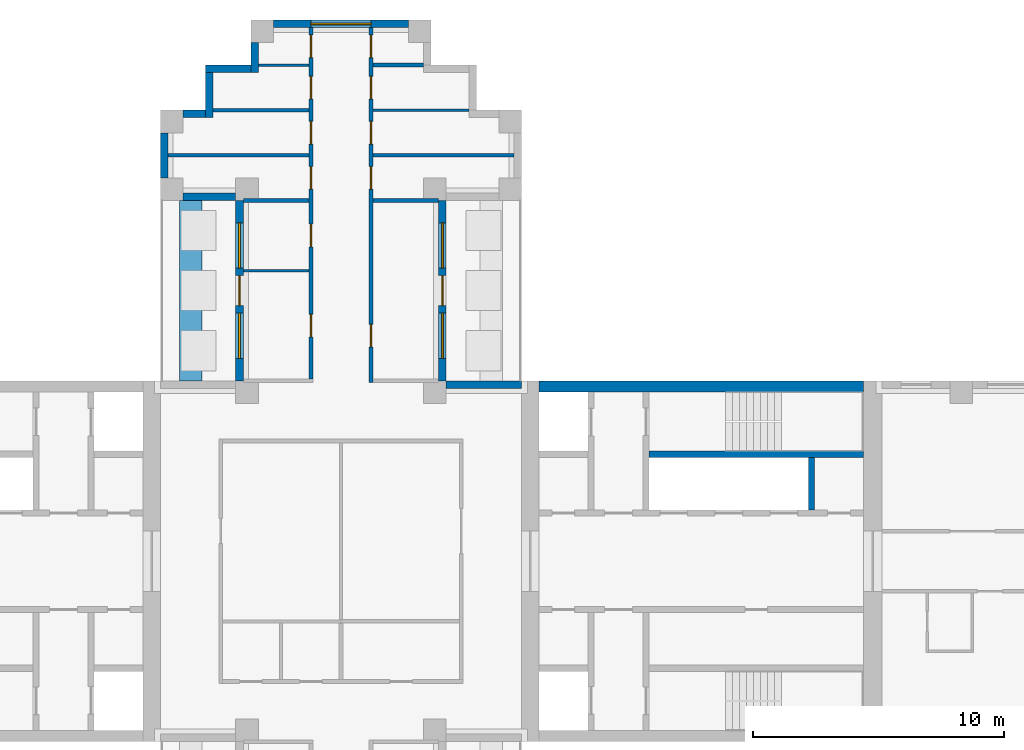
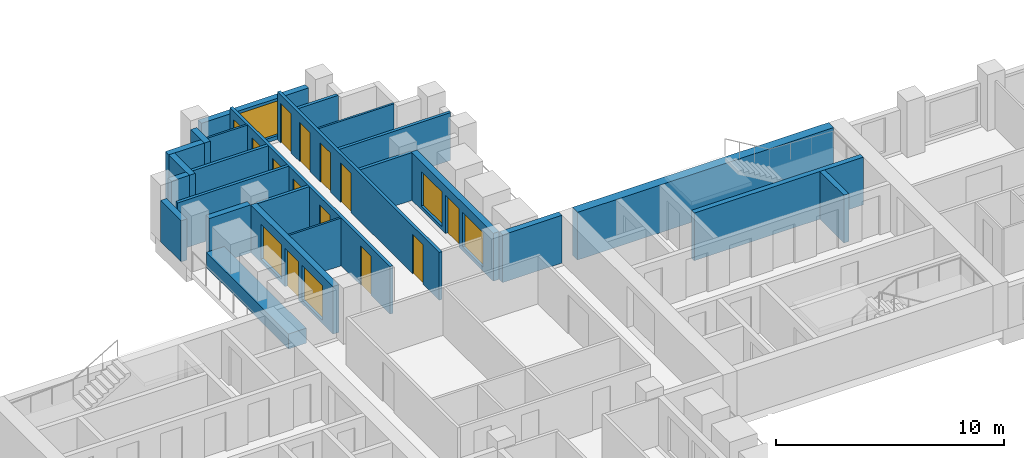
# One storey, part 7 of 12: 25 walls, 13 doors, 5 windows, 18 openings.
"""IFC4 building model written with IfcOpenShell, lengths in metres."""

from ifc_helpers import new_model, si_unit, direction, frame, frame_2d, origin, place, context, subcontext, project, spatial, rectangle, extrude, material, layer, layer_set, type_object, element, fill, save


model = new_model("IFC4")

# Units and contexts
model_context = context("Model", 3, precision=1e-05, world=origin(), true_north=direction((0.0, 1.0)))
body_context = subcontext(model_context, "Body", "Model", "MODEL_VIEW")
ifc_project = project(units=[si_unit("LENGTHUNIT", "METRE"), si_unit("AREAUNIT", "SQUARE_METRE"), si_unit("VOLUMEUNIT", "CUBIC_METRE"), si_unit("PLANEANGLEUNIT", "RADIAN"), si_unit("MASSUNIT", "GRAM", prefix="KILO")], contexts=[model_context])

# Site, building, storey
site_placement = place(None, origin())
site = spatial("IfcSite", under=ifc_project, at=site_placement, CompositionType="ELEMENT")
building_placement = place(site_placement, origin())
building = spatial("IfcBuilding", under=site, at=building_placement, Name="Fustian Cross Tower", CompositionType="ELEMENT")
storey_placement = place(building_placement, frame((0.0, 0.0, 159.300048828125)))
storey = spatial("IfcBuildingStorey", under=building, at=storey_placement, Name="L50", CompositionType="ELEMENT", Elevation=159.300048828125)

# Walls
ifc_material_1 = material(Name="Plasterboard on steel stud", Category="steel")
ifc_layer_1 = layer(ifc_material_1, 0.14990234375)
ifc_layer_set_1 = layer_set([ifc_layer_1], Name="Plasterboard on steel stud")
wall_type_1 = type_object("IfcWallType", Name="COMPARTMENT WALL 150 EI 60", PredefinedType="PARTITIONING", material=ifc_layer_set_1)
wall_1_placement = place(storey_placement, frame((-6.89990234375, 16.199951171875, 0.0), z_axis=(0.0, 0.0, 1.0), x_axis=(1.0, 0.0, 0.0)))
element("IfcWall", 1, at=wall_1_placement, inside=storey, type_object=wall_type_1, Name="Partition 10", PredefinedType="PARTITIONING", context=body_context, shape_type="SweptSolid", body=[
    extrude(rectangle(XDim=5.625, YDim=0.14990234375, at=frame_2d((2.8125, 0.0))), origin(), (0.0, 0.0, 1.0), 2.550048828125),
])
wall_2_placement = place(storey_placement, frame((-5.10009765625, 18.0, 0.0), z_axis=(0.0, 0.0, 1.0), x_axis=(1.0, 0.0, 0.0)))
element("IfcWall", 2, at=wall_2_placement, inside=storey, type_object=wall_type_1, Name="Partition 11", PredefinedType="PARTITIONING", context=body_context, shape_type="SweptSolid", body=[
    extrude(rectangle(XDim=3.8251953125, YDim=0.14990234375, at=frame_2d((1.91259765625, 0.0))), origin(), (0.0, 0.0, 1.0), 2.550048828125),
])
wall_3_placement = place(storey_placement, frame((-3.89990234375, 14.39990234375, 0.0), z_axis=(0.0, 0.0, 1.0), x_axis=(1.0, 0.0, 0.0)))
element("IfcWall", 3, at=wall_3_placement, inside=storey, type_object=wall_type_1, Name="Partition 21", PredefinedType="PARTITIONING", context=body_context, shape_type="SweptSolid", body=[
    extrude(rectangle(XDim=2.625, YDim=0.14990234375, at=frame_2d((1.3125, 0.0))), origin(), (0.0, 0.0, 1.0), 2.550048828125),
])

# Wall, openings, doors
wall_4_placement = place(storey_placement, frame((-1.199951171875, 7.27490234375, 0.0), z_axis=(0.0, 0.0, 1.0), x_axis=(0.0, 1.0, 0.0)))
wall_4 = element("IfcWall", 4, at=wall_4_placement, inside=storey, type_object=wall_type_1, Name="Partition 28", PredefinedType="PARTITIONING", context=body_context, shape_type="SweptSolid", body=[
    extrude(rectangle(XDim=14.025146484375, YDim=0.14990234375, at=frame_2d((7.0126953125, 0.0))), origin(), (0.0, 0.0, 1.0), 2.550048828125),
])
opening_1_placement = place(wall_4_placement, frame((5.27490234375, 0.0, 0.0)))
opening_1 = element("IfcOpeningElement", 5, at=opening_1_placement, cuts=wall_4, Name="Opening D22015", PredefinedType="OPENING", context=body_context, shape_type="SweptSolid", body=[
    extrude(rectangle(XDim=0.89990234375, YDim=2.10009765625, at=frame_2d((0.449951171875, 1.050048828125))), frame((0.0, 0.0849609375, 0.0), z_axis=(0.0, -1.0, 0.0), x_axis=(1.0, 0.0, 0.0)), (0.0, 0.0, 1.0), 0.169921875),
])
opening_2_placement = place(wall_4_placement, frame((1.675048828125, 0.0, 0.0)))
opening_2 = element("IfcOpeningElement", 6, at=opening_2_placement, cuts=wall_4, Name="Opening D22016", PredefinedType="OPENING", context=body_context, shape_type="SweptSolid", body=[
    extrude(rectangle(XDim=0.89990234375, YDim=2.10009765625, at=frame_2d((0.449951171875, 1.050048828125))), frame((0.0, 0.0849609375, 0.0), z_axis=(0.0, -1.0, 0.0), x_axis=(1.0, 0.0, 0.0)), (0.0, 0.0, 1.0), 0.169921875),
])
opening_3_placement = place(wall_4_placement, frame((7.574951171875, 0.0, 0.0)))
opening_3 = element("IfcOpeningElement", 7, at=opening_3_placement, cuts=wall_4, Name="Opening D22017", PredefinedType="OPENING", context=body_context, shape_type="SweptSolid", body=[
    extrude(rectangle(XDim=0.89990234375, YDim=2.10009765625, at=frame_2d((0.449951171875, 1.050048828125))), frame((0.0, 0.0849609375, 0.0), z_axis=(0.0, -1.0, 0.0), x_axis=(1.0, 0.0, 0.0)), (0.0, 0.0, 1.0), 0.169921875),
])
opening_4_placement = place(wall_4_placement, frame((9.375, 0.0, 0.0)))
opening_4 = element("IfcOpeningElement", 8, at=opening_4_placement, cuts=wall_4, Name="Opening D22018", PredefinedType="OPENING", context=body_context, shape_type="SweptSolid", body=[
    extrude(rectangle(XDim=0.89990234375, YDim=2.10009765625, at=frame_2d((0.449951171875, 1.050048828125))), frame((0.0, 0.0849609375, 0.0), z_axis=(0.0, -1.0, 0.0), x_axis=(1.0, 0.0, 0.0)), (0.0, 0.0, 1.0), 0.169921875),
])
opening_5_placement = place(wall_4_placement, frame((11.175048828125, 0.0, 0.0)))
opening_5 = element("IfcOpeningElement", 9, at=opening_5_placement, cuts=wall_4, Name="Opening D22019", PredefinedType="OPENING", context=body_context, shape_type="SweptSolid", body=[
    extrude(rectangle(XDim=0.89990234375, YDim=2.10009765625, at=frame_2d((0.449951171875, 1.050048828125))), frame((0.0, 0.0849609375, 0.0), z_axis=(0.0, -1.0, 0.0), x_axis=(1.0, 0.0, 0.0)), (0.0, 0.0, 1.0), 0.169921875),
])
opening_6_placement = place(wall_4_placement, frame((12.824951171875, 0.0, 0.0)))
opening_6 = element("IfcOpeningElement", 10, at=opening_6_placement, cuts=wall_4, Name="Opening D22020", PredefinedType="OPENING", context=body_context, shape_type="SweptSolid", body=[
    extrude(rectangle(XDim=0.89990234375, YDim=2.10009765625, at=frame_2d((0.449951171875, 1.050048828125))), frame((0.0, 0.0849609375, 0.0), z_axis=(0.0, -1.0, 0.0), x_axis=(1.0, 0.0, 0.0)), (0.0, 0.0, 1.0), 0.169921875),
])
ifc_material_2 = material(Name="Timber fire door set", Category="wood")
door_type_1 = type_object("IfcDoorType", Name="FIRE SWING DOOR 900 FD30S", OperationType="SINGLE_SWING_LEFT", PredefinedType="DOOR", material=ifc_material_2)
door_1_placement = place(opening_1_placement, origin())
door_1 = element("IfcDoor", 11, at=door_1_placement, inside=storey, type_object=door_type_1, Name="Door D22015", OperationType="SINGLE_SWING_LEFT", OverallHeight=2.10009765625, OverallWidth=0.89990234375, PredefinedType="DOOR", context=body_context, shape_type="SweptSolid", body=[
    extrude(rectangle(XDim=0.89990234375, YDim=2.10009765625, at=frame_2d((0.449951171875, 1.050048828125))), frame((0.0, 0.02490234375, 0.0), z_axis=(0.0, -1.0, 0.0), x_axis=(1.0, 0.0, 0.0)), (0.0, 0.0, 1.0), 0.050048828125),
])
fill(opening_1, door_1)
door_2_placement = place(opening_2_placement, origin())
door_2 = element("IfcDoor", 12, at=door_2_placement, inside=storey, type_object=door_type_1, Name="Door D22016", OperationType="SINGLE_SWING_LEFT", OverallHeight=2.10009765625, OverallWidth=0.89990234375, PredefinedType="DOOR", context=body_context, shape_type="SweptSolid", body=[
    extrude(rectangle(XDim=0.89990234375, YDim=2.10009765625, at=frame_2d((0.449951171875, 1.050048828125))), frame((0.0, 0.02490234375, 0.0), z_axis=(0.0, -1.0, 0.0), x_axis=(1.0, 0.0, 0.0)), (0.0, 0.0, 1.0), 0.050048828125),
])
fill(opening_2, door_2)
door_3_placement = place(opening_3_placement, origin())
door_3 = element("IfcDoor", 13, at=door_3_placement, inside=storey, type_object=door_type_1, Name="Door D22017", OperationType="SINGLE_SWING_RIGHT", OverallHeight=2.10009765625, OverallWidth=0.89990234375, PredefinedType="DOOR", context=body_context, shape_type="SweptSolid", body=[
    extrude(rectangle(XDim=0.89990234375, YDim=2.10009765625, at=frame_2d((0.449951171875, 1.050048828125))), frame((0.0, 0.02490234375, 0.0), z_axis=(0.0, -1.0, 0.0), x_axis=(1.0, 0.0, 0.0)), (0.0, 0.0, 1.0), 0.050048828125),
])
fill(opening_3, door_3)
door_4_placement = place(opening_4_placement, origin())
door_4 = element("IfcDoor", 14, at=door_4_placement, inside=storey, type_object=door_type_1, Name="Door D22018", OperationType="SINGLE_SWING_RIGHT", OverallHeight=2.10009765625, OverallWidth=0.89990234375, PredefinedType="DOOR", context=body_context, shape_type="SweptSolid", body=[
    extrude(rectangle(XDim=0.89990234375, YDim=2.10009765625, at=frame_2d((0.449951171875, 1.050048828125))), frame((0.0, 0.02490234375, 0.0), z_axis=(0.0, -1.0, 0.0), x_axis=(1.0, 0.0, 0.0)), (0.0, 0.0, 1.0), 0.050048828125),
])
fill(opening_4, door_4)
door_5_placement = place(opening_5_placement, origin())
door_5 = element("IfcDoor", 15, at=door_5_placement, inside=storey, type_object=door_type_1, Name="Door D22019", OperationType="SINGLE_SWING_RIGHT", OverallHeight=2.10009765625, OverallWidth=0.89990234375, PredefinedType="DOOR", context=body_context, shape_type="SweptSolid", body=[
    extrude(rectangle(XDim=0.89990234375, YDim=2.10009765625, at=frame_2d((0.449951171875, 1.050048828125))), frame((0.0, 0.02490234375, 0.0), z_axis=(0.0, -1.0, 0.0), x_axis=(1.0, 0.0, 0.0)), (0.0, 0.0, 1.0), 0.050048828125),
])
fill(opening_5, door_5)
door_6_placement = place(opening_6_placement, origin())
door_6 = element("IfcDoor", 16, at=door_6_placement, inside=storey, type_object=door_type_1, Name="Door D22020", OperationType="SINGLE_SWING_LEFT", OverallHeight=2.10009765625, OverallWidth=0.89990234375, PredefinedType="DOOR", context=body_context, shape_type="SweptSolid", body=[
    extrude(rectangle(XDim=0.89990234375, YDim=2.10009765625, at=frame_2d((0.449951171875, 1.050048828125))), frame((0.0, 0.02490234375, 0.0), z_axis=(0.0, -1.0, 0.0), x_axis=(1.0, 0.0, 0.0)), (0.0, 0.0, 1.0), 0.050048828125),
])
fill(opening_6, door_6)

wall_5_placement = place(storey_placement, frame((1.199951171875, 7.125, 0.0), z_axis=(0.0, 0.0, 1.0), x_axis=(0.0, 1.0, 0.0)))
wall_5 = element("IfcWall", 17, at=wall_5_placement, inside=storey, type_object=wall_type_1, Name="Partition 37", PredefinedType="PARTITIONING", context=body_context, shape_type="SweptSolid", body=[
    extrude(rectangle(XDim=14.175048828125, YDim=0.14990234375, at=frame_2d((7.08740234375, 0.0))), origin(), (0.0, 0.0, 1.0), 2.550048828125),
])
opening_7_placement = place(wall_5_placement, frame((1.425048828125, 0.0, 0.0)))
opening_7 = element("IfcOpeningElement", 18, at=opening_7_placement, cuts=wall_5, Name="Opening D22021", PredefinedType="OPENING", context=body_context, shape_type="SweptSolid", body=[
    extrude(rectangle(XDim=0.89990234375, YDim=2.10009765625, at=frame_2d((0.449951171875, 1.050048828125))), frame((0.0, 0.0849609375, 0.0), z_axis=(0.0, -1.0, 0.0), x_axis=(1.0, 0.0, 0.0)), (0.0, 0.0, 1.0), 0.169921875),
])
opening_8_placement = place(wall_5_placement, frame((7.72509765625, 0.0, 0.0)))
opening_8 = element("IfcOpeningElement", 19, at=opening_8_placement, cuts=wall_5, Name="Opening D22022", PredefinedType="OPENING", context=body_context, shape_type="SweptSolid", body=[
    extrude(rectangle(XDim=0.89990234375, YDim=2.10009765625, at=frame_2d((0.449951171875, 1.050048828125))), frame((0.0, 0.0849609375, 0.0), z_axis=(0.0, -1.0, 0.0), x_axis=(1.0, 0.0, 0.0)), (0.0, 0.0, 1.0), 0.169921875),
])
opening_9_placement = place(wall_5_placement, frame((9.52490234375, 0.0, 0.0)))
opening_9 = element("IfcOpeningElement", 20, at=opening_9_placement, cuts=wall_5, Name="Opening D22023", PredefinedType="OPENING", context=body_context, shape_type="SweptSolid", body=[
    extrude(rectangle(XDim=0.89990234375, YDim=2.10009765625, at=frame_2d((0.449951171875, 1.050048828125))), frame((0.0, 0.0849609375, 0.0), z_axis=(0.0, -1.0, 0.0), x_axis=(1.0, 0.0, 0.0)), (0.0, 0.0, 1.0), 0.169921875),
])
opening_10_placement = place(wall_5_placement, frame((11.324951171875, 0.0, 0.0)))
opening_10 = element("IfcOpeningElement", 21, at=opening_10_placement, cuts=wall_5, Name="Opening D22024", PredefinedType="OPENING", context=body_context, shape_type="SweptSolid", body=[
    extrude(rectangle(XDim=0.89990234375, YDim=2.10009765625, at=frame_2d((0.449951171875, 1.050048828125))), frame((0.0, 0.0849609375, 0.0), z_axis=(0.0, -1.0, 0.0), x_axis=(1.0, 0.0, 0.0)), (0.0, 0.0, 1.0), 0.169921875),
])
opening_11_placement = place(wall_5_placement, frame((12.97509765625, 0.0, 0.0)))
opening_11 = element("IfcOpeningElement", 22, at=opening_11_placement, cuts=wall_5, Name="Opening D22025", PredefinedType="OPENING", context=body_context, shape_type="SweptSolid", body=[
    extrude(rectangle(XDim=0.89990234375, YDim=2.10009765625, at=frame_2d((0.449951171875, 1.050048828125))), frame((0.0, 0.0849609375, 0.0), z_axis=(0.0, -1.0, 0.0), x_axis=(1.0, 0.0, 0.0)), (0.0, 0.0, 1.0), 0.169921875),
])
door_7_placement = place(opening_7_placement, frame((0.89990234375, 0.0, 0.0), z_axis=(0.0, 0.0, 1.0), x_axis=(-1.0, 0.0, 0.0)))
door_7 = element("IfcDoor", 23, at=door_7_placement, inside=storey, type_object=door_type_1, Name="Door D22021", OperationType="SINGLE_SWING_RIGHT", OverallHeight=2.10009765625, OverallWidth=0.89990234375, PredefinedType="DOOR", context=body_context, shape_type="SweptSolid", body=[
    extrude(rectangle(XDim=0.89990234375, YDim=2.10009765625, at=frame_2d((0.449951171875, 1.050048828125))), frame((0.0, 0.02490234375, 0.0), z_axis=(0.0, -1.0, 0.0), x_axis=(1.0, 0.0, 0.0)), (0.0, 0.0, 1.0), 0.050048828125),
])
fill(opening_7, door_7)
door_8_placement = place(opening_8_placement, origin())
door_8 = element("IfcDoor", 24, at=door_8_placement, inside=storey, type_object=door_type_1, Name="Door D22022", OperationType="SINGLE_SWING_RIGHT", OverallHeight=2.10009765625, OverallWidth=0.89990234375, PredefinedType="DOOR", context=body_context, shape_type="SweptSolid", body=[
    extrude(rectangle(XDim=0.89990234375, YDim=2.10009765625, at=frame_2d((0.449951171875, 1.050048828125))), frame((0.0, 0.02490234375, 0.0), z_axis=(0.0, -1.0, 0.0), x_axis=(1.0, 0.0, 0.0)), (0.0, 0.0, 1.0), 0.050048828125),
])
fill(opening_8, door_8)
door_9_placement = place(opening_9_placement, frame((0.89990234375, 0.0, 0.0), z_axis=(0.0, 0.0, 1.0), x_axis=(-1.0, 0.0, 0.0)))
door_9 = element("IfcDoor", 25, at=door_9_placement, inside=storey, type_object=door_type_1, Name="Door D22023", OperationType="SINGLE_SWING_LEFT", OverallHeight=2.10009765625, OverallWidth=0.89990234375, PredefinedType="DOOR", context=body_context, shape_type="SweptSolid", body=[
    extrude(rectangle(XDim=0.89990234375, YDim=2.10009765625, at=frame_2d((0.449951171875, 1.050048828125))), frame((0.0, 0.02490234375, 0.0), z_axis=(0.0, -1.0, 0.0), x_axis=(1.0, 0.0, 0.0)), (0.0, 0.0, 1.0), 0.050048828125),
])
fill(opening_9, door_9)
door_10_placement = place(opening_10_placement, frame((0.89990234375, 0.0, 0.0), z_axis=(0.0, 0.0, 1.0), x_axis=(-1.0, 0.0, 0.0)))
door_10 = element("IfcDoor", 26, at=door_10_placement, inside=storey, type_object=door_type_1, Name="Door D22024", OperationType="SINGLE_SWING_LEFT", OverallHeight=2.10009765625, OverallWidth=0.89990234375, PredefinedType="DOOR", context=body_context, shape_type="SweptSolid", body=[
    extrude(rectangle(XDim=0.89990234375, YDim=2.10009765625, at=frame_2d((0.449951171875, 1.050048828125))), frame((0.0, 0.02490234375, 0.0), z_axis=(0.0, -1.0, 0.0), x_axis=(1.0, 0.0, 0.0)), (0.0, 0.0, 1.0), 0.050048828125),
])
fill(opening_10, door_10)
door_11_placement = place(opening_11_placement, origin())
door_11 = element("IfcDoor", 27, at=door_11_placement, inside=storey, type_object=door_type_1, Name="Door D22025", OperationType="SINGLE_SWING_RIGHT", OverallHeight=2.10009765625, OverallWidth=0.89990234375, PredefinedType="DOOR", context=body_context, shape_type="SweptSolid", body=[
    extrude(rectangle(XDim=0.89990234375, YDim=2.10009765625, at=frame_2d((0.449951171875, 1.050048828125))), frame((0.0, 0.02490234375, 0.0), z_axis=(0.0, -1.0, 0.0), x_axis=(1.0, 0.0, 0.0)), (0.0, 0.0, 1.0), 0.050048828125),
])
fill(opening_11, door_11)

# Walls
wall_6_placement = place(storey_placement, frame((1.27490234375, 14.39990234375, 0.0), z_axis=(0.0, 0.0, 1.0), x_axis=(1.0, 0.0, 0.0)))
element("IfcWall", 28, at=wall_6_placement, inside=storey, type_object=wall_type_1, Name="Partition 39", PredefinedType="PARTITIONING", context=body_context, shape_type="SweptSolid", body=[
    extrude(rectangle(XDim=2.625, YDim=0.14990234375, at=frame_2d((1.3125, 0.0))), origin(), (0.0, 0.0, 1.0), 2.550048828125),
])
wall_7_placement = place(storey_placement, frame((1.27490234375, 16.199951171875, 0.0), z_axis=(0.0, 0.0, 1.0), x_axis=(1.0, 0.0, 0.0)))
element("IfcWall", 29, at=wall_7_placement, inside=storey, type_object=wall_type_1, Name="Partition 40", PredefinedType="PARTITIONING", context=body_context, shape_type="SweptSolid", body=[
    extrude(rectangle(XDim=5.625, YDim=0.14990234375, at=frame_2d((2.8125, 0.0))), origin(), (0.0, 0.0, 1.0), 2.550048828125),
])
wall_8_placement = place(storey_placement, frame((1.27490234375, 19.800048828125, 0.0), z_axis=(0.0, 0.0, 1.0), x_axis=(1.0, 0.0, 0.0)))
element("IfcWall", 30, at=wall_8_placement, inside=storey, type_object=wall_type_1, Name="Partition 42", PredefinedType="PARTITIONING", context=body_context, shape_type="SweptSolid", body=[
    extrude(rectangle(XDim=2.025146484375, YDim=0.14990234375, at=frame_2d((1.0126953125, 0.0))), origin(), (0.0, 0.0, 1.0), 2.550048828125),
])
ifc_material_3 = material(Name="Concrete C60/75", Category="concrete")
ifc_layer_2 = layer(ifc_material_3, 0.449951171875)
ifc_layer_set_2 = layer_set([ifc_layer_2], Name="Concrete C60/75")
wall_type_2 = type_object("IfcWallType", Name="CORE FACADE WALL 450 C60/75", PredefinedType="SHEAR", material=ifc_layer_set_2)
wall_9_placement = place(storey_placement, frame((7.89990234375, 6.97509765625, 0.0), z_axis=(0.0, 0.0, 1.0), x_axis=(1.0, 0.0, 0.0)))
element("IfcWall", 31, at=wall_9_placement, inside=storey, type_object=wall_type_2, Name="Core facade wall", PredefinedType="SHEAR", context=body_context, shape_type="SweptSolid", body=[
    extrude(rectangle(XDim=12.9501953125, YDim=0.449951171875, at=frame_2d((6.47509765625, 0.0))), origin(), (0.0, 0.0, 1.0), 2.550048828125),
])
ifc_material_4 = material(Name="Concrete C50/60", Category="concrete")
ifc_layer_3 = layer(ifc_material_4, 0.25)
ifc_layer_set_3 = layer_set([ifc_layer_3], Name="Concrete C50/60")
wall_type_3 = type_object("IfcWallType", Name="CORE SHAFT WALL 250 C50/60", PredefinedType="SHEAR", material=ifc_layer_set_3)
wall_10_placement = place(storey_placement, frame((12.300048828125, 4.27490234375, 0.0), z_axis=(0.0, 0.0, 1.0), x_axis=(1.0, 0.0, 0.0)))
element("IfcWall", 32, at=wall_10_placement, inside=storey, type_object=wall_type_3, Name="Core shaft wall", PredefinedType="SHEAR", context=body_context, shape_type="SweptSolid", body=[
    extrude(rectangle(XDim=8.550048828125, YDim=0.25, at=frame_2d((4.27490234375, 0.0))), origin(), (0.0, 0.0, 1.0), 2.550048828125),
])
ifc_material_5 = material(Name="Plasterboard on steel stud", Category="steel")
ifc_layer_4 = layer(ifc_material_5, 0.10009765625)
ifc_layer_set_4 = layer_set([ifc_layer_4], Name="Plasterboard on steel stud")
wall_type_4 = type_object("IfcWallType", Name="PARTITION 100 STUD", PredefinedType="PARTITIONING", material=ifc_layer_set_4)
wall_11_placement = place(storey_placement, frame((-3.89990234375, 11.60009765625, 0.0), z_axis=(0.0, 0.0, 1.0), x_axis=(1.0, 0.0, 0.0)))
element("IfcWall", 33, at=wall_11_placement, inside=storey, type_object=wall_type_4, Name="Partition 20", PredefinedType="PARTITIONING", context=body_context, shape_type="SweptSolid", body=[
    extrude(rectangle(XDim=2.625, YDim=0.10009765625, at=frame_2d((1.3125, 0.0))), origin(), (0.0, 0.0, 1.0), 2.550048828125),
])
wall_12_placement = place(storey_placement, frame((-3.300048828125, 19.800048828125, 0.0), z_axis=(0.0, 0.0, 1.0), x_axis=(1.0, 0.0, 0.0)))
element("IfcWall", 34, at=wall_12_placement, inside=storey, type_object=wall_type_4, Name="Partition 25", PredefinedType="PARTITIONING", context=body_context, shape_type="SweptSolid", body=[
    extrude(rectangle(XDim=2.025146484375, YDim=0.10009765625, at=frame_2d((1.0126953125, 0.0))), origin(), (0.0, 0.0, 1.0), 2.550048828125),
])
wall_13_placement = place(storey_placement, frame((1.27490234375, 18.0, 0.0), z_axis=(0.0, 0.0, 1.0), x_axis=(1.0, 0.0, 0.0)))
element("IfcWall", 35, at=wall_13_placement, inside=storey, type_object=wall_type_4, Name="Partition 41", PredefinedType="PARTITIONING", context=body_context, shape_type="SweptSolid", body=[
    extrude(rectangle(XDim=3.8251953125, YDim=0.10009765625, at=frame_2d((1.91259765625, 0.0))), origin(), (0.0, 0.0, 1.0), 2.550048828125),
])
ifc_material_6 = material(Name="Concrete C40/50", Category="concrete")
ifc_layer_5 = layer(ifc_material_6, 0.89990234375)
ifc_layer_set_5 = layer_set([ifc_layer_5], Name="Concrete C40/50")
wall_type_5 = type_object("IfcWallType", Name="PK1 PLANTER 900", PredefinedType="PARAPET", material=ifc_layer_set_5)
wall_14_placement = place(storey_placement, frame((-6.0, 7.199951171875, 0.0), z_axis=(0.0, 0.0, 1.0), x_axis=(0.0, 1.0, 0.0)))
element("IfcWall", 36, at=wall_14_placement, inside=storey, type_object=wall_type_5, Name="PLANTER", PredefinedType="PARAPET", context=body_context, shape_type="SweptSolid", body=[
    extrude(rectangle(XDim=7.199951171875, YDim=0.89990234375, at=frame_2d((3.60009765625, 0.0))), origin(), (0.0, 0.0, 1.0), 0.800048828125),
])
ifc_material_7 = material(Name="Concrete C40/50", Category="concrete")
ifc_layer_6 = layer(ifc_material_7, 0.25)
ifc_layer_set_6 = layer_set([ifc_layer_6], Name="Concrete C40/50")
wall_type_6 = type_object("IfcWallType", Name="SHAFT PARTITION WALL 250 C40/50", PredefinedType="PARTITIONING", material=ifc_layer_set_6)
wall_15_placement = place(storey_placement, frame((18.77490234375, 2.050048828125, 0.0), z_axis=(0.0, 0.0, 1.0), x_axis=(0.0, 1.0, 0.0)))
element("IfcWall", 37, at=wall_15_placement, inside=storey, type_object=wall_type_6, Name="Core shaft wall", PredefinedType="PARTITIONING", context=body_context, shape_type="SweptSolid", body=[
    extrude(rectangle(XDim=2.099853515625, YDim=0.25, at=frame_2d((1.0498046875, 0.0))), origin(), (0.0, 0.0, 1.0), 2.550048828125),
])
ifc_material_8 = material(Name="Dark aluminium cladding on insulated backing wall", Category="aluminium")
ifc_layer_7 = layer(ifc_material_8, 0.300048828125)
ifc_layer_set_7 = layer_set([ifc_layer_7], Name="Dark aluminium cladding on insulated backing wall")
wall_type_7 = type_object("IfcWallType", Name="XW1 EXTERNAL WALL 300", PredefinedType="SOLIDWALL", material=ifc_layer_set_7)
wall_16_placement = place(storey_placement, frame((7.199951171875, 7.050048828125, 0.0), z_axis=(0.0, 0.0, 1.0), x_axis=(-1.0, 0.0, 0.0)))
element("IfcWall", 38, at=wall_16_placement, inside=storey, type_object=wall_type_7, Name="External wall", PredefinedType="SOLIDWALL", context=body_context, shape_type="SweptSolid", body=[
    extrude(rectangle(XDim=3.0, YDim=0.300048828125, at=frame_2d((1.5, 0.0))), origin(), (0.0, 0.0, 1.0), 2.550048828125),
])

# Wall, openings, door, windows
wall_17_placement = place(storey_placement, frame((4.050048828125, 7.199951171875, 0.0), z_axis=(0.0, 0.0, 1.0), x_axis=(0.0, 1.0, 0.0)))
wall_17 = element("IfcWall", 39, at=wall_17_placement, inside=storey, type_object=wall_type_7, Name="External wall", PredefinedType="SOLIDWALL", context=body_context, shape_type="SweptSolid", body=[
    extrude(rectangle(XDim=7.199951171875, YDim=0.300048828125, at=frame_2d((3.60009765625, 0.0))), origin(), (0.0, 0.0, 1.0), 2.550048828125),
])
opening_12_placement = place(wall_17_placement, frame((3.0, 0.0, 0.0)))
opening_12 = element("IfcOpeningElement", 40, at=opening_12_placement, cuts=wall_17, Name="Opening XD1", PredefinedType="OPENING", context=body_context, shape_type="SweptSolid", body=[
    extrude(rectangle(XDim=1.199951171875, YDim=2.050048828125, at=frame_2d((0.60009765625, 1.02490234375))), frame((0.0, 0.159912109375, 0.0), z_axis=(0.0, -1.0, 0.0), x_axis=(1.0, 0.0, 0.0)), (0.0, 0.0, 1.0), 0.320068359375),
])
opening_13_placement = place(wall_17_placement, frame((0.89990234375, 0.0, 0.199951171875)))
opening_13 = element("IfcOpeningElement", 41, at=opening_13_placement, cuts=wall_17, Name="Opening WN2", PredefinedType="OPENING", context=body_context, shape_type="SweptSolid", body=[
    extrude(rectangle(XDim=1.800048828125, YDim=1.85009765625, at=frame_2d((0.89990234375, 0.925048828125))), frame((0.0, 0.159912109375, 0.0), z_axis=(0.0, -1.0, 0.0), x_axis=(1.0, 0.0, 0.0)), (0.0, 0.0, 1.0), 0.320068359375),
])
opening_14_placement = place(wall_17_placement, frame((4.5, 0.0, 0.199951171875)))
opening_14 = element("IfcOpeningElement", 42, at=opening_14_placement, cuts=wall_17, Name="Opening WN2", PredefinedType="OPENING", context=body_context, shape_type="SweptSolid", body=[
    extrude(rectangle(XDim=1.800048828125, YDim=1.85009765625, at=frame_2d((0.89990234375, 0.925048828125))), frame((0.0, 0.159912109375, 0.0), z_axis=(0.0, -1.0, 0.0), x_axis=(1.0, 0.0, 0.0)), (0.0, 0.0, 1.0), 0.320068359375),
])
ifc_material_9 = material(Name="Dark anodised aluminium and double glazing", Category="aluminium")
door_type_2 = type_object("IfcDoorType", Name="ED1 BALCONY DOOR 1200X2050", OperationType="SINGLE_SWING_LEFT", PredefinedType="DOOR", material=ifc_material_9)
door_12_placement = place(opening_12_placement, origin())
door_12 = element("IfcDoor", 43, at=door_12_placement, inside=storey, type_object=door_type_2, Name="Balcony door", OperationType="SINGLE_SWING_LEFT", OverallHeight=2.050048828125, OverallWidth=1.199951171875, PredefinedType="DOOR", context=body_context, shape_type="SweptSolid", body=[
    extrude(rectangle(XDim=1.199951171875, YDim=2.050048828125, at=frame_2d((0.60009765625, 1.02490234375))), frame((0.0, 0.02490234375, 0.0), z_axis=(0.0, -1.0, 0.0), x_axis=(1.0, 0.0, 0.0)), (0.0, 0.0, 1.0), 0.050048828125),
])
fill(opening_12, door_12)
ifc_material_10 = material(Name="Dark anodised aluminium and double glazing", Category="aluminium")
window_type_1 = type_object("IfcWindowType", Name="WN2 WINDOW 1800X1850", PartitioningType="SINGLE_PANEL", PredefinedType="WINDOW", material=ifc_material_10)
window_1_placement = place(opening_13_placement, origin())
window_1 = element("IfcWindow", 44, at=window_1_placement, inside=storey, type_object=window_type_1, Name="Window", OverallHeight=1.85009765625, OverallWidth=1.800048828125, PartitioningType="SINGLE_PANEL", PredefinedType="WINDOW", context=body_context, shape_type="SweptSolid", body=[
    extrude(rectangle(XDim=1.800048828125, YDim=1.85009765625, at=frame_2d((0.89990234375, 0.925048828125))), frame((0.0, 0.030029296875, 0.0), z_axis=(0.0, -1.0, 0.0), x_axis=(1.0, 0.0, 0.0)), (0.0, 0.0, 1.0), 0.06005859375),
])
fill(opening_13, window_1)
window_2_placement = place(opening_14_placement, origin())
window_2 = element("IfcWindow", 45, at=window_2_placement, inside=storey, type_object=window_type_1, Name="Window", OverallHeight=1.85009765625, OverallWidth=1.800048828125, PartitioningType="SINGLE_PANEL", PredefinedType="WINDOW", context=body_context, shape_type="SweptSolid", body=[
    extrude(rectangle(XDim=1.800048828125, YDim=1.85009765625, at=frame_2d((0.89990234375, 0.925048828125))), frame((0.0, 0.030029296875, 0.0), z_axis=(0.0, -1.0, 0.0), x_axis=(1.0, 0.0, 0.0)), (0.0, 0.0, 1.0), 0.06005859375),
])
fill(opening_14, window_2)

# Wall, opening, window
wall_18_placement = place(storey_placement, frame((2.699951171875, 21.449951171875, 0.0), z_axis=(0.0, 0.0, 1.0), x_axis=(-1.0, 0.0, 0.0)))
wall_18 = element("IfcWall", 46, at=wall_18_placement, inside=storey, type_object=wall_type_7, Name="External wall", PredefinedType="SOLIDWALL", context=body_context, shape_type="SweptSolid", body=[
    extrude(rectangle(XDim=5.39990234375, YDim=0.300048828125, at=frame_2d((2.699951171875, 0.0))), origin(), (0.0, 0.0, 1.0), 2.199951171875),
])
opening_15_placement = place(wall_18_placement, frame((1.5, 0.0, 0.199951171875)))
opening_15 = element("IfcOpeningElement", 47, at=opening_15_placement, cuts=wall_18, Name="Opening WN1", PredefinedType="OPENING", context=body_context, shape_type="SweptSolid", body=[
    extrude(rectangle(XDim=2.39990234375, YDim=1.85009765625, at=frame_2d((1.199951171875, 0.925048828125))), frame((0.0, 0.159912109375, 0.0), z_axis=(0.0, -1.0, 0.0), x_axis=(1.0, 0.0, 0.0)), (0.0, 0.0, 1.0), 0.320068359375),
])
ifc_material_11 = material(Name="Dark anodised aluminium and double glazing", Category="aluminium")
window_type_2 = type_object("IfcWindowType", Name="WN1 WINDOW 2400X1850", PartitioningType="SINGLE_PANEL", PredefinedType="WINDOW", material=ifc_material_11)
window_3_placement = place(opening_15_placement, origin())
window_3 = element("IfcWindow", 48, at=window_3_placement, inside=storey, type_object=window_type_2, Name="Window", OverallHeight=1.85009765625, OverallWidth=2.39990234375, PartitioningType="SINGLE_PANEL", PredefinedType="WINDOW", context=body_context, shape_type="SweptSolid", body=[
    extrude(rectangle(XDim=2.39990234375, YDim=1.85009765625, at=frame_2d((1.199951171875, 0.925048828125))), frame((0.0, 0.030029296875, 0.0), z_axis=(0.0, -1.0, 0.0), x_axis=(1.0, 0.0, 0.0)), (0.0, 0.0, 1.0), 0.06005859375),
])
fill(opening_15, window_3)

# Walls
wall_19_placement = place(storey_placement, frame((-3.449951171875, 20.699951171875, 0.0), z_axis=(0.0, 0.0, 1.0), x_axis=(0.0, -1.0, 0.0)))
element("IfcWall", 49, at=wall_19_placement, inside=storey, type_object=wall_type_7, Name="External wall", PredefinedType="SOLIDWALL", context=body_context, shape_type="SweptSolid", body=[
    extrude(rectangle(XDim=1.199951171875, YDim=0.300048828125, at=frame_2d((0.60009765625, 0.0))), origin(), (0.0, 0.0, 1.0), 2.550048828125),
])
wall_20_placement = place(storey_placement, frame((-3.60009765625, 19.64990234375, 0.0), z_axis=(0.0, 0.0, 1.0), x_axis=(-1.0, 0.0, 0.0)))
element("IfcWall", 50, at=wall_20_placement, inside=storey, type_object=wall_type_7, Name="External wall", PredefinedType="SOLIDWALL", context=body_context, shape_type="SweptSolid", body=[
    extrude(rectangle(XDim=1.7998046875, YDim=0.300048828125, at=frame_2d((0.89990234375, 0.0))), origin(), (0.0, 0.0, 1.0), 2.550048828125),
])
wall_21_placement = place(storey_placement, frame((-5.25, 19.5, 0.0), z_axis=(0.0, 0.0, 1.0), x_axis=(0.0, -1.0, 0.0)))
element("IfcWall", 51, at=wall_21_placement, inside=storey, type_object=wall_type_7, Name="External wall", PredefinedType="SOLIDWALL", context=body_context, shape_type="SweptSolid", body=[
    extrude(rectangle(XDim=1.800048828125, YDim=0.300048828125, at=frame_2d((0.89990234375, 0.0))), origin(), (0.0, 0.0, 1.0), 2.550048828125),
])
wall_22_placement = place(storey_placement, frame((-5.39990234375, 17.85009765625, 0.0), z_axis=(0.0, 0.0, 1.0), x_axis=(-1.0, 0.0, 0.0)))
element("IfcWall", 52, at=wall_22_placement, inside=storey, type_object=wall_type_7, Name="External wall", PredefinedType="SOLIDWALL", context=body_context, shape_type="SweptSolid", body=[
    extrude(rectangle(XDim=0.900146484375, YDim=0.300048828125, at=frame_2d((0.4501953125, 0.0))), origin(), (0.0, 0.0, 1.0), 2.550048828125),
])
wall_23_placement = place(storey_placement, frame((-7.050048828125, 17.10009765625, 0.0), z_axis=(0.0, 0.0, 1.0), x_axis=(0.0, -1.0, 0.0)))
element("IfcWall", 53, at=wall_23_placement, inside=storey, type_object=wall_type_7, Name="External wall", PredefinedType="SOLIDWALL", context=body_context, shape_type="SweptSolid", body=[
    extrude(rectangle(XDim=1.800048828125, YDim=0.300048828125, at=frame_2d((0.89990234375, 0.0))), origin(), (0.0, 0.0, 1.0), 2.199951171875),
])
wall_24_placement = place(storey_placement, frame((-6.300048828125, 14.550048828125, 0.0), z_axis=(0.0, 0.0, 1.0), x_axis=(1.0, 0.0, 0.0)))
element("IfcWall", 54, at=wall_24_placement, inside=storey, type_object=wall_type_7, Name="External wall", PredefinedType="SOLIDWALL", context=body_context, shape_type="SweptSolid", body=[
    extrude(rectangle(XDim=2.10009765625, YDim=0.300048828125, at=frame_2d((1.050048828125, 0.0))), origin(), (0.0, 0.0, 1.0), 2.550048828125),
])

# Wall, openings, door, windows
wall_25_placement = place(storey_placement, frame((-4.050048828125, 14.39990234375, 0.0), z_axis=(0.0, 0.0, 1.0), x_axis=(0.0, -1.0, 0.0)))
wall_25 = element("IfcWall", 55, at=wall_25_placement, inside=storey, type_object=wall_type_7, Name="External wall", PredefinedType="SOLIDWALL", context=body_context, shape_type="SweptSolid", body=[
    extrude(rectangle(XDim=7.199951171875, YDim=0.300048828125, at=frame_2d((3.60009765625, 0.0))), origin(), (0.0, 0.0, 1.0), 2.550048828125),
])
opening_16_placement = place(wall_25_placement, frame((3.0, 0.0, 0.0)))
opening_16 = element("IfcOpeningElement", 56, at=opening_16_placement, cuts=wall_25, Name="Opening XD2", PredefinedType="OPENING", context=body_context, shape_type="SweptSolid", body=[
    extrude(rectangle(XDim=1.199951171875, YDim=2.050048828125, at=frame_2d((0.60009765625, 1.02490234375))), frame((0.0, 0.159912109375, 0.0), z_axis=(0.0, -1.0, 0.0), x_axis=(1.0, 0.0, 0.0)), (0.0, 0.0, 1.0), 0.320068359375),
])
opening_17_placement = place(wall_25_placement, frame((0.89990234375, 0.0, 0.199951171875)))
opening_17 = element("IfcOpeningElement", 57, at=opening_17_placement, cuts=wall_25, Name="Opening WN2", PredefinedType="OPENING", context=body_context, shape_type="SweptSolid", body=[
    extrude(rectangle(XDim=1.800048828125, YDim=1.85009765625, at=frame_2d((0.89990234375, 0.925048828125))), frame((0.0, 0.159912109375, 0.0), z_axis=(0.0, -1.0, 0.0), x_axis=(1.0, 0.0, 0.0)), (0.0, 0.0, 1.0), 0.320068359375),
])
opening_18_placement = place(wall_25_placement, frame((4.5, 0.0, 0.199951171875)))
opening_18 = element("IfcOpeningElement", 58, at=opening_18_placement, cuts=wall_25, Name="Opening WN2", PredefinedType="OPENING", context=body_context, shape_type="SweptSolid", body=[
    extrude(rectangle(XDim=1.800048828125, YDim=1.85009765625, at=frame_2d((0.89990234375, 0.925048828125))), frame((0.0, 0.159912109375, 0.0), z_axis=(0.0, -1.0, 0.0), x_axis=(1.0, 0.0, 0.0)), (0.0, 0.0, 1.0), 0.320068359375),
])
door_13_placement = place(opening_16_placement, origin())
door_13 = element("IfcDoor", 59, at=door_13_placement, inside=storey, type_object=door_type_2, Name="Balcony door", OperationType="SINGLE_SWING_LEFT", OverallHeight=2.050048828125, OverallWidth=1.199951171875, PredefinedType="DOOR", context=body_context, shape_type="SweptSolid", body=[
    extrude(rectangle(XDim=1.199951171875, YDim=2.050048828125, at=frame_2d((0.60009765625, 1.02490234375))), frame((0.0, 0.02490234375, 0.0), z_axis=(0.0, -1.0, 0.0), x_axis=(1.0, 0.0, 0.0)), (0.0, 0.0, 1.0), 0.050048828125),
])
fill(opening_16, door_13)
window_4_placement = place(opening_17_placement, origin())
window_4 = element("IfcWindow", 60, at=window_4_placement, inside=storey, type_object=window_type_1, Name="Window", OverallHeight=1.85009765625, OverallWidth=1.800048828125, PartitioningType="SINGLE_PANEL", PredefinedType="WINDOW", context=body_context, shape_type="SweptSolid", body=[
    extrude(rectangle(XDim=1.800048828125, YDim=1.85009765625, at=frame_2d((0.89990234375, 0.925048828125))), frame((0.0, 0.030029296875, 0.0), z_axis=(0.0, -1.0, 0.0), x_axis=(1.0, 0.0, 0.0)), (0.0, 0.0, 1.0), 0.06005859375),
])
fill(opening_17, window_4)
window_5_placement = place(opening_18_placement, origin())
window_5 = element("IfcWindow", 61, at=window_5_placement, inside=storey, type_object=window_type_1, Name="Window", OverallHeight=1.85009765625, OverallWidth=1.800048828125, PartitioningType="SINGLE_PANEL", PredefinedType="WINDOW", context=body_context, shape_type="SweptSolid", body=[
    extrude(rectangle(XDim=1.800048828125, YDim=1.85009765625, at=frame_2d((0.89990234375, 0.925048828125))), frame((0.0, 0.030029296875, 0.0), z_axis=(0.0, -1.0, 0.0), x_axis=(1.0, 0.0, 0.0)), (0.0, 0.0, 1.0), 0.06005859375),
])
fill(opening_18, window_5)

save(model, "model.ifc")
